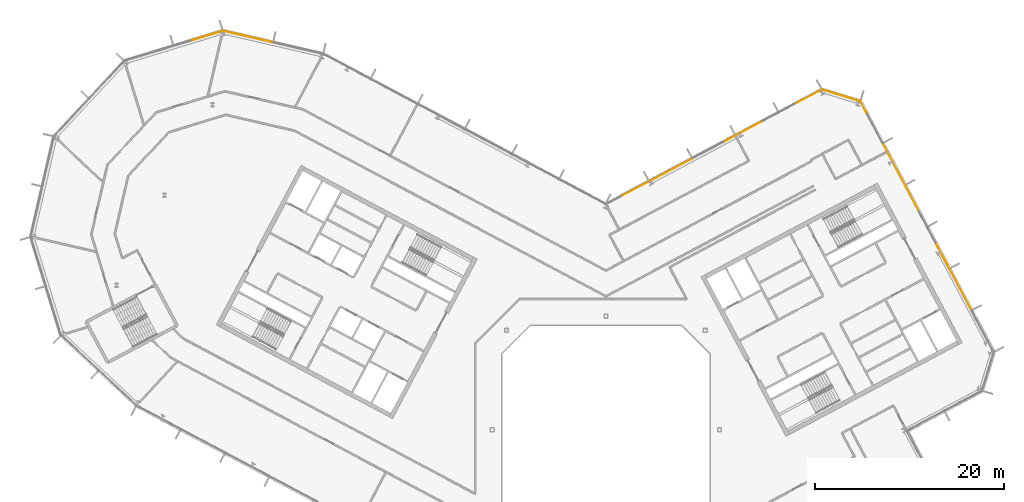
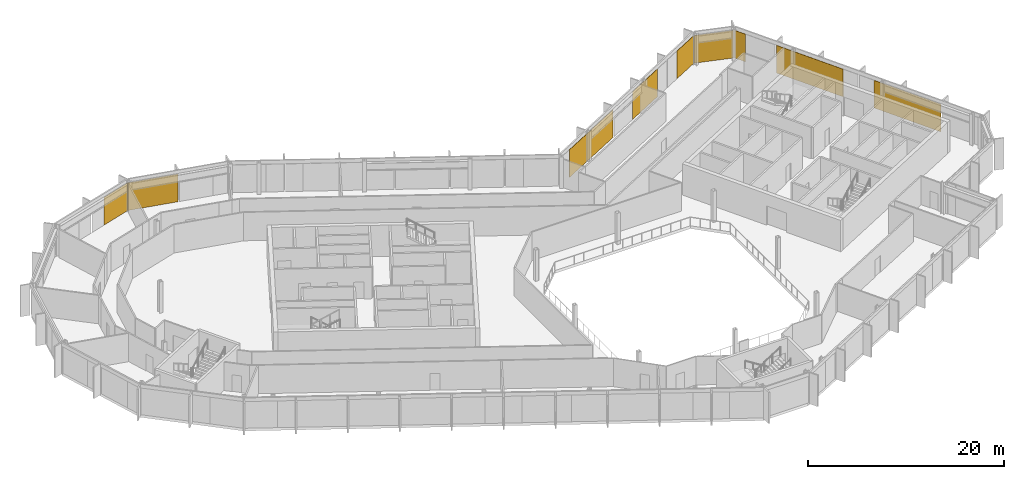
# One storey, part 25 of 25: 9 coverings, 5 elements without a shape of their own.
"""IFC4 building model written with IfcOpenShell, lengths in metres."""

import ifcopenshell
import ifcopenshell.guid

model = None  # the IFC model being written
_history = None  # IfcOwnerHistory: only IFC2X3 demands one
_inside = {}  # id of a spatial element -> (the spatial element, [elements in it])
_under = {}  # id of a project, library or spatial element -> (it, [spatial elements below it])
_declared = {}  # id of a project -> (the project, [libraries it declares])
_typed = {}  # id of a type object -> (the type object, [elements of that type])
_made_of = {}  # id of a material, layer set ... -> (it, [elements and type objects made of it])


def new_model(schema):
    """Start an empty IFC model of exactly this schema.

    Asked for "IFC4X3", IfcOpenShell would pick the latest addendum, in which some entities
    have other attributes; the version numbers below select the first issue.
    IFC2X3 requires an IfcOwnerHistory on every rooted entity: one is made here for all.
    """
    global model, _history
    if schema == "IFC4X3":
        model = ifcopenshell.file(schema_version=(4, 3, 0, 0))
    else:
        model = ifcopenshell.file(schema=schema)
    _inside.clear()
    _under.clear()
    _declared.clear()
    _typed.clear()
    _made_of.clear()
    _history = None
    if model.schema == "IFC2X3":
        org = make("IfcOrganization", Name="unknown")
        user = make(
            "IfcPersonAndOrganization",
            ThePerson=make("IfcPerson", FamilyName="unknown"),
            TheOrganization=org,
        )
        app = make(
            "IfcApplication",
            ApplicationDeveloper=org,
            Version="unknown",
            ApplicationFullName="unknown",
            ApplicationIdentifier="unknown",
        )
        _history = make(
            "IfcOwnerHistory",
            OwningUser=user,
            OwningApplication=app,
            ChangeAction="ADDED",
            CreationDate=0,
        )
    return model


def make(cls, **values):
    """One entity of the class cls with the attributes given. An attribute that is None is left unset."""
    return model.create_entity(
        cls, **{name: value for name, value in values.items() if value is not None}
    )


def rooted(cls, **values):
    """An entity with a GlobalId (a new one), such as an element, a storey or a relation."""
    return make(cls, GlobalId=ifcopenshell.guid.new(), OwnerHistory=_history, **values)


def si_unit(unit_type, name, prefix=None):
    """IfcSIUnit, for example si_unit("LENGTHUNIT", "METRE", prefix="MILLI")."""
    return make("IfcSIUnit", UnitType=unit_type, Prefix=prefix, Name=name)


def assignment(units):
    """IfcUnitAssignment: the units of a project."""
    return None if units is None else make("IfcUnitAssignment", Units=units)


def point(xyz):
    """IfcCartesianPoint."""
    return None if xyz is None else make("IfcCartesianPoint", Coordinates=xyz)


def direction(xyz):
    """IfcDirection."""
    return None if xyz is None else make("IfcDirection", DirectionRatios=xyz)


def frame(location, z_axis=None, x_axis=None):
    """IfcAxis2Placement3D, a coordinate frame: its origin and axes. An axis left out is left unset."""
    return make(
        "IfcAxis2Placement3D",
        Location=point(location),
        Axis=direction(z_axis),
        RefDirection=direction(x_axis),
    )


def frame_2d(location, x_axis=None):
    """IfcAxis2Placement2D, a coordinate frame in the plane: its origin and x axis."""
    return make(
        "IfcAxis2Placement2D", Location=point(location), RefDirection=direction(x_axis)
    )


def origin():
    """The frame at (0, 0, 0) with its axes left unset."""
    return frame((0.0, 0.0, 0.0))


def origin_2d():
    """The frame at (0, 0) in the plane with its x axis left unset."""
    return frame_2d((0.0, 0.0))


def place(relative_to, where):
    """IfcLocalPlacement: puts the frame where relative to a parent placement (None: the world)."""
    return make(
        "IfcLocalPlacement", PlacementRelTo=relative_to, RelativePlacement=where
    )


def context(
    kind, dimensions, precision=None, world=None, true_north=None, identifier=None
):
    """IfcGeometricRepresentationContext, for example the 3D "Model" context."""
    return make(
        "IfcGeometricRepresentationContext",
        ContextIdentifier=identifier,
        ContextType=kind,
        CoordinateSpaceDimension=dimensions,
        Precision=precision,
        WorldCoordinateSystem=world,
        TrueNorth=true_north,
    )


def subcontext(parent, identifier, kind, view, scale=None):
    """IfcGeometricRepresentationSubContext, for example "Body" below "Model"."""
    return make(
        "IfcGeometricRepresentationSubContext",
        ContextIdentifier=identifier,
        ContextType=kind,
        ParentContext=parent,
        TargetScale=scale,
        TargetView=view,
    )


def project(units=None, contexts=None):
    """IfcProject with its units and contexts."""
    return rooted(
        "IfcProject",
        Name="project",
        RepresentationContexts=contexts,
        UnitsInContext=assignment(units),
    )


def spatial(cls, under=None, at=None, **own):
    """A site, building, storey or space (cls), placed at a placement, below another one or the project."""
    s = rooted(cls, ObjectPlacement=at, **own)
    if under is not None:
        _under.setdefault(under.id(), (under, []))[1].append(s)
    return s


def profile(cls, at=None, kind="AREA", **sizes):
    """A parametric profile (cls). Its sizes go by their IFC names, for example OverallWidth=200.0."""
    return make(cls, ProfileType=kind, Position=at, **sizes)


def rectangle(**sizes):
    """IfcRectangleProfileDef."""
    return profile("IfcRectangleProfileDef", **sizes)


def extrude(swept, where, along, depth):
    """IfcExtrudedAreaSolid: the profile swept, set in the frame where, extruded along a direction by depth."""
    return make(
        "IfcExtrudedAreaSolid",
        SweptArea=swept,
        Position=where,
        ExtrudedDirection=direction(along),
        Depth=depth,
    )


def shape(context_of_items, identifier, shape_type, items):
    """IfcShapeRepresentation: the items that make up one representation, for example the "Body"."""
    return make(
        "IfcShapeRepresentation",
        ContextOfItems=context_of_items,
        RepresentationIdentifier=identifier,
        RepresentationType=shape_type,
        Items=items,
    )


def material(Name=None, Category=None):
    """IfcMaterial."""
    return make("IfcMaterial", Name=Name, Category=Category)


def layer(
    of_material, thickness, ventilated=None, Name=None, Category=None, Priority=None
):
    """IfcMaterialLayer: one layer of a wall or slab, of a material (None: an air gap)."""
    return make(
        "IfcMaterialLayer",
        Material=of_material,
        LayerThickness=thickness,
        IsVentilated=ventilated,
        Name=Name,
        Category=Category,
        Priority=Priority,
    )


def layer_set(layers, Name=None):
    """IfcMaterialLayerSet."""
    return make("IfcMaterialLayerSet", MaterialLayers=layers, LayerSetName=Name)


def made_of(thing, what):
    """Note that an element or type object is made of a material, layer set ...; save() writes the relation."""
    if what is not None:
        _made_of.setdefault(what.id(), (what, []))[1].append(thing)
    return thing


def type_object(cls, material=None, **own):
    """A type object (cls), such as IfcWallType, which elements share."""
    return made_of(rooted(cls, **own), material)


def element(
    cls,
    number,
    at=None,
    inside=None,
    cuts=None,
    type_object=None,
    material=None,
    context=None,
    identifier="Body",
    shape_type=None,
    held_by="IfcProductDefinitionShape",
    body=None,
    shapes=None,
    **own,
):
    """One element of the class cls, such as IfcWall. Its Tag is "e" and its number.

    at: its placement. inside: the storey or other place that contains it. cuts: it is an
    opening in that element (IfcRelVoidsElement). A single representation is given by context,
    identifier, shape_type and body (its items); several are given by shapes. held_by: the class
    of the entity that holds the representations. save() writes the other relations.
    """
    e = rooted(cls, Tag="e%d" % number, ObjectPlacement=at, **own)
    if body is not None:
        shapes = [shape(context, identifier, shape_type, body)]
    if shapes is not None:
        e.Representation = make(held_by, Representations=shapes)
    if inside is not None:
        _inside.setdefault(inside.id(), (inside, []))[1].append(e)
    if cuts is not None:
        rooted(
            "IfcRelVoidsElement", RelatingBuildingElement=cuts, RelatedOpeningElement=e
        )
    if type_object is not None:
        _typed.setdefault(type_object.id(), (type_object, []))[1].append(e)
    return made_of(e, material)


def aggregate(whole, parts):
    """IfcRelAggregates: a whole, such as a stair, and the parts it consists of."""
    return rooted("IfcRelAggregates", RelatingObject=whole, RelatedObjects=parts)


def save(model, path):
    """Write the relations noted so far, then the file.

    IfcRelAggregates (storeys below a building ...), IfcRelContainedInSpatialStructure (elements
    in a storey), IfcRelDefinesByType, IfcRelAssociatesMaterial and IfcRelDeclares: one each for
    every whole, place, type object, material and project.
    """
    for whole, parts in _under.values():
        aggregate(whole, parts)
    for where, things in _inside.values():
        rooted(
            "IfcRelContainedInSpatialStructure",
            RelatedElements=things,
            RelatingStructure=where,
        )
    for kind, things in _typed.values():
        rooted("IfcRelDefinesByType", RelatedObjects=things, RelatingType=kind)
    for what, things in _made_of.values():
        rooted("IfcRelAssociatesMaterial", RelatedObjects=things, RelatingMaterial=what)
    for by, libraries in _declared.values():
        rooted("IfcRelDeclares", RelatingContext=by, RelatedDefinitions=libraries)
    model.write(path)


model = new_model("IFC4")

# Units and contexts
model_context = context("Model", 3, precision=1e-05, world=origin(), true_north=direction((0.0, 1.0)))
body_context = subcontext(model_context, "Body", "Model", "MODEL_VIEW")
ifc_project = project(units=[si_unit("LENGTHUNIT", "METRE"), si_unit("AREAUNIT", "SQUARE_METRE"), si_unit("VOLUMEUNIT", "CUBIC_METRE"), si_unit("PLANEANGLEUNIT", "RADIAN"), si_unit("MASSUNIT", "GRAM", prefix="KILO")], contexts=[model_context])

# Site, building, storey
site_placement = place(None, origin())
site = spatial("IfcSite", under=ifc_project, at=site_placement, CompositionType="ELEMENT")
building_placement = place(site_placement, origin())
building = spatial("IfcBuilding", under=site, at=building_placement, Name="Cormorant Relay Tower", CompositionType="ELEMENT")
storey_placement = place(building_placement, frame((0.0, 0.0, 289.199951171875)))
storey = spatial("IfcBuildingStorey", under=building, at=storey_placement, Name="L65", CompositionType="ELEMENT", Elevation=289.199951171875)

# Curtain wall, coverings
ifc_material_1 = material(Name="Aluminium 6063-T6 anodised bronze", Category="aluminium")
ifc_layer_1 = layer(ifc_material_1, 0.199951171875)
ifc_layer_set_1 = layer_set([ifc_layer_1], Name="CW1 unitised bronze curtain wall with vertical fins")
curtain_wall_type = type_object("IfcCurtainWallType", Name="CW1 unitised bronze curtain wall with vertical fins", PredefinedType="NOTDEFINED", material=ifc_layer_set_1)
curtain_wall_1_placement = place(storey_placement, origin())
curtain_wall_1 = element("IfcCurtainWall", 1, at=curtain_wall_1_placement, inside=storey, type_object=curtain_wall_type, Name="CW1 curtain wall 6", PredefinedType="NOTDEFINED")
ifc_material_2 = material(Name="Pale bronze anodised aluminium insulated panel", Category="aluminium")
ifc_layer_2 = layer(ifc_material_2, 0.0400390625)
ifc_layer_set_2 = layer_set([ifc_layer_2], Name="CW1 pale bronze insulated panel 40")
covering_type = type_object("IfcCoveringType", Name="CW1 pale bronze insulated panel 40", PredefinedType="CLADDING", material=ifc_layer_set_2)
covering_1_placement = place(storey_placement, frame((36.697021484375, 16.227783203125, 0.0), z_axis=(0.0, 0.0, 1.0), x_axis=(-0.469471562786, 0.882947592859, 0.0)))
covering_1 = element("IfcCovering", 2, at=covering_1_placement, type_object=covering_type, Name="CW1 panel S02", PredefinedType="CLADDING", context=body_context, shape_type="SweptSolid", body=[
    extrude(rectangle(XDim=8.050048828125, YDim=0.0400390625, at=origin_2d()), origin(), (0.0, 0.0, 1.0), 3.449951171875),
])
covering_2_placement = place(storey_placement, frame((31.1572265625, 26.646484375, 0.0), z_axis=(0.0, 0.0, 1.0), x_axis=(-0.469471562786, 0.882947592859, 0.0)))
covering_2 = element("IfcCovering", 3, at=covering_2_placement, type_object=covering_type, Name="CW1 panel S05", PredefinedType="CLADDING", context=body_context, shape_type="SweptSolid", body=[
    extrude(rectangle(XDim=8.050048828125, YDim=0.0400390625, at=origin_2d()), origin(), (0.0, 0.0, 1.0), 3.449951171875),
])
covering_3_placement = place(storey_placement, frame((27.196044921875, 34.096435546875, 0.0), z_axis=(0.0, 0.0, 1.0), x_axis=(-0.469471562786, 0.882947592859, 0.0)))
covering_3 = element("IfcCovering", 4, at=covering_3_placement, type_object=covering_type, Name="CW1 panel S07", PredefinedType="CLADDING", context=body_context, shape_type="SweptSolid", body=[
    extrude(rectangle(XDim=1.324951171875, YDim=0.0400390625, at=origin_2d()), origin(), (0.0, 0.0, 1.0), 3.449951171875),
])
aggregate(curtain_wall_1, [covering_1, covering_2, covering_3])

# Curtain wall, covering
curtain_wall_2_placement = place(storey_placement, origin())
curtain_wall_2 = element("IfcCurtainWall", 5, at=curtain_wall_2_placement, inside=storey, type_object=curtain_wall_type, Name="CW1 curtain wall 7", PredefinedType="NOTDEFINED")
covering_4_placement = place(storey_placement, frame((24.808837890625, 35.322265625, 0.0), z_axis=(0.0, 0.0, 1.0), x_axis=(-0.956304755963, 0.292371704723, 0.0)))
covering_4 = element("IfcCovering", 6, at=covering_4_placement, type_object=covering_type, Name="CW1 panel S00", PredefinedType="CLADDING", context=body_context, shape_type="SweptSolid", body=[
    extrude(rectangle(XDim=4.16748046875, YDim=0.0400390625, at=origin_2d()), origin(), (0.0, 0.0, 1.0), 3.449951171875),
])
aggregate(curtain_wall_2, [covering_4])

# Curtain wall, coverings
curtain_wall_3_placement = place(storey_placement, origin())
curtain_wall_3 = element("IfcCurtainWall", 7, at=curtain_wall_3_placement, inside=storey, type_object=curtain_wall_type, Name="CW1 curtain wall 8", PredefinedType="NOTDEFINED")
covering_5_placement = place(storey_placement, frame((21.314453125, 35.1396484375, 0.0), z_axis=(0.0, 0.0, 1.0), x_axis=(-0.882947592859, -0.469471562786, 0.0)))
covering_5 = element("IfcCovering", 8, at=covering_5_placement, type_object=covering_type, Name="CW1 panel S00", PredefinedType="CLADDING", context=body_context, shape_type="SweptSolid", body=[
    extrude(rectangle(XDim=3.216796875, YDim=0.0400390625, at=origin_2d()), origin(), (0.0, 0.0, 1.0), 3.449951171875),
])
covering_6_placement = place(storey_placement, frame((14.471435546875, 31.501220703125, 0.0), z_axis=(0.0, 0.0, 1.0), x_axis=(-0.882947592859, -0.469471562786, 0.0)))
covering_6 = element("IfcCovering", 9, at=covering_6_placement, type_object=covering_type, Name="CW1 panel S03", PredefinedType="CLADDING", context=body_context, shape_type="SweptSolid", body=[
    extrude(rectangle(XDim=4.78369140625, YDim=0.0400390625, at=origin_2d()), origin(), (0.0, 0.0, 1.0), 3.449951171875),
])
covering_7_placement = place(storey_placement, frame((5.314208984375, 26.632080078125, 0.0), z_axis=(0.0, 0.0, 1.0), x_axis=(-0.882947592859, -0.469471562786, 0.0)))
covering_7 = element("IfcCovering", 10, at=covering_7_placement, type_object=covering_type, Name="CW1 panel S05", PredefinedType="CLADDING", context=body_context, shape_type="SweptSolid", body=[
    extrude(rectangle(XDim=8.45849609375, YDim=0.0400390625, at=origin_2d()), origin(), (0.0, 0.0, 1.0), 3.449951171875),
])
aggregate(curtain_wall_3, [covering_5, covering_6, covering_7])

# Curtain wall, covering
curtain_wall_4_placement = place(storey_placement, origin())
curtain_wall_4 = element("IfcCurtainWall", 11, at=curtain_wall_4_placement, inside=storey, type_object=curtain_wall_type, Name="CW1 curtain wall 10", PredefinedType="NOTDEFINED")
covering_8_placement = place(storey_placement, frame((-37.849609375, 41.530029296875, 0.0), z_axis=(0.0, 0.0, 1.0), x_axis=(-0.974370064785, 0.224951054344, 0.0)))
covering_8 = element("IfcCovering", 12, at=covering_8_placement, type_object=covering_type, Name="CW1 panel S02", PredefinedType="CLADDING", context=body_context, shape_type="SweptSolid", body=[
    extrude(rectangle(XDim=5.360107421875, YDim=0.0400390625, at=origin_2d()), origin(), (0.0, 0.0, 1.0), 3.449951171875),
])
aggregate(curtain_wall_4, [covering_8])

curtain_wall_5_placement = place(storey_placement, origin())
curtain_wall_5 = element("IfcCurtainWall", 13, at=curtain_wall_5_placement, inside=storey, type_object=curtain_wall_type, Name="CW1 curtain wall 11", PredefinedType="NOTDEFINED")
covering_9_placement = place(storey_placement, frame((-42.209716796875, 41.60107421875, 0.0), z_axis=(0.0, 0.0, 1.0), x_axis=(-0.956304755963, -0.292371704723, 0.0)))
covering_9 = element("IfcCovering", 14, at=covering_9_placement, type_object=covering_type, Name="CW1 panel S00", PredefinedType="CLADDING", context=body_context, shape_type="SweptSolid", body=[
    extrude(rectangle(XDim=3.485107421875, YDim=0.0400390625, at=origin_2d()), origin(), (0.0, 0.0, 1.0), 3.449951171875),
])
aggregate(curtain_wall_5, [covering_9])

save(model, "model.ifc")
